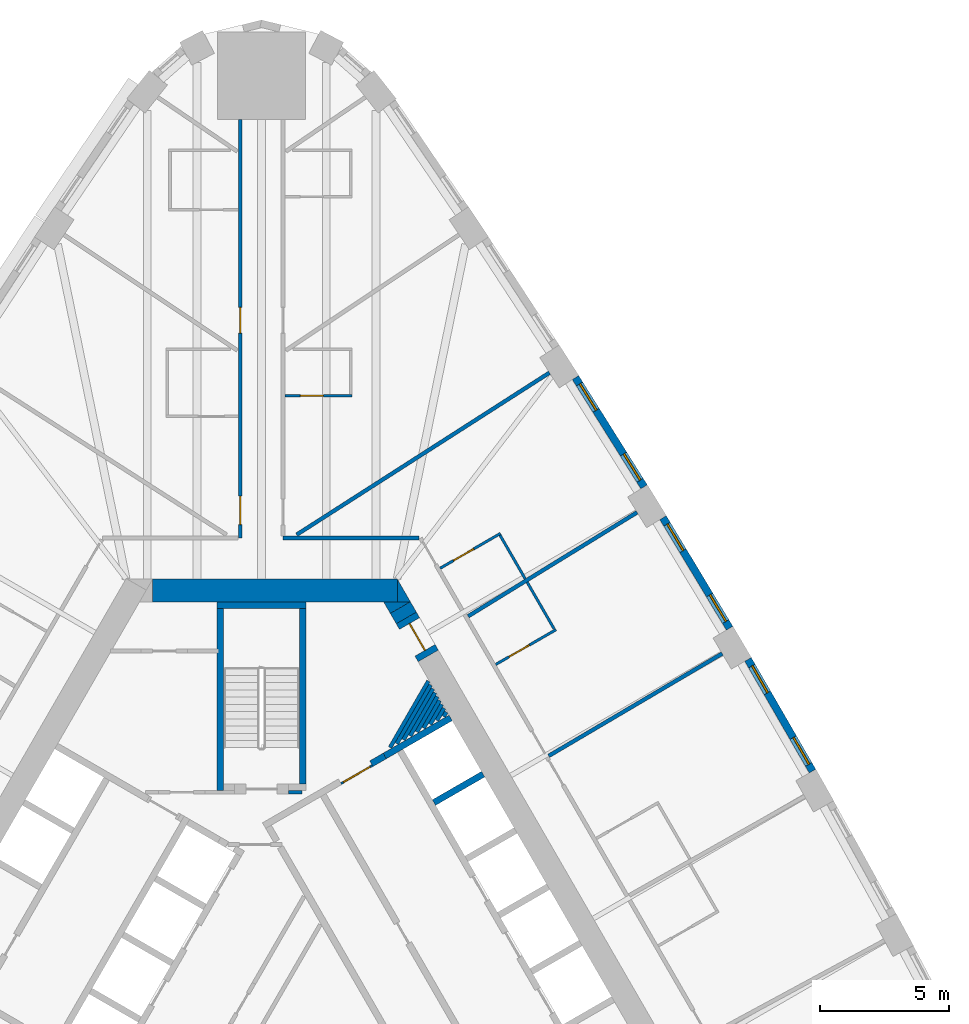
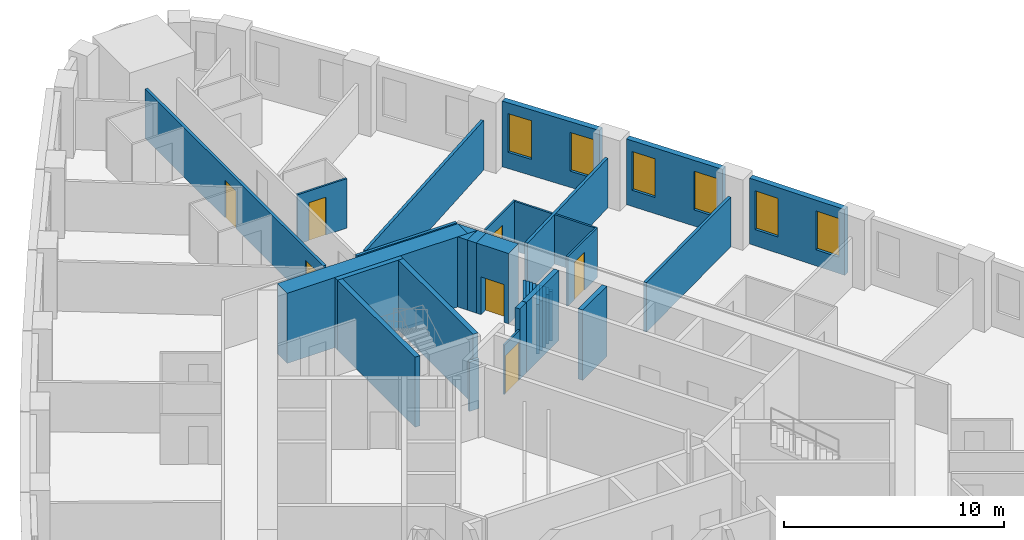
# One storey, part 10 of 12: 35 walls, 7 doors, 6 windows, 13 openings.
"""IFC4 building model written with IfcOpenShell, lengths in metres."""

from ifc_helpers import new_model, si_unit, direction, frame, frame_2d, origin, place, context, subcontext, project, spatial, polyline, rectangle, outline, extrude, material, layer, layer_set, type_object, element, fill, save


model = new_model("IFC4")

# Units and contexts
model_context = context("Model", 3, precision=1e-05, world=origin(), true_north=direction((0.0, 1.0)))
body_context = subcontext(model_context, "Body", "Model", "MODEL_VIEW")
ifc_project = project(units=[si_unit("LENGTHUNIT", "METRE"), si_unit("AREAUNIT", "SQUARE_METRE"), si_unit("VOLUMEUNIT", "CUBIC_METRE"), si_unit("PLANEANGLEUNIT", "RADIAN"), si_unit("MASSUNIT", "GRAM", prefix="KILO")], contexts=[model_context])

# Site, building, storey
site_placement = place(None, origin())
site = spatial("IfcSite", under=ifc_project, at=site_placement, CompositionType="ELEMENT")
building_placement = place(site_placement, origin())
building = spatial("IfcBuilding", under=site, at=building_placement, Name="Mestral Congress Tower", CompositionType="ELEMENT")
storey_placement = place(building_placement, frame((0.0, 0.0, 66.60009765625)))
storey = spatial("IfcBuildingStorey", under=building, at=storey_placement, Name="L15", CompositionType="ELEMENT", Elevation=66.60009765625)

# Walls
ifc_material_1 = material(Name="Fire-rated board partition")
ifc_layer_1 = layer(ifc_material_1, 0.14990234375)
ifc_layer_set_1 = layer_set([ifc_layer_1], Name="Fire-rated board partition")
wall_type_1 = type_object("IfcWallType", Name="Core partition 150", PredefinedType="PARTITIONING", material=ifc_layer_set_1)
wall_1_placement = place(storey_placement, frame((1.050048828125, 8.62548828125, 0.0), z_axis=(0.0, 0.0, 1.0), x_axis=(1.0, 0.0, 0.0)))
element("IfcWall", 1, at=wall_1_placement, inside=storey, type_object=wall_type_1, Name="L15 core wall", PredefinedType="PARTITIONING", context=body_context, shape_type="SweptSolid", body=[
    extrude(rectangle(XDim=0.513916015625, YDim=0.14990234375, at=frame_2d((0.2568359375, 0.0))), origin(), (0.0, 0.0, 1.0), 2.75),
])
wall_2_placement = place(storey_placement, frame((4.981689453125, 10.358642578125, 0.0), z_axis=(0.0, 0.0, 1.0), x_axis=(0.500051824031, 0.865995481099, 0.0)))
element("IfcWall", 2, at=wall_2_placement, inside=storey, type_object=wall_type_1, Name="L15 core wall", PredefinedType="PARTITIONING", context=body_context, shape_type="SweptSolid", body=[
    extrude(rectangle(XDim=2.972900390625, YDim=0.14990234375, at=frame_2d((1.486328125, 0.0))), origin(), (0.0, 0.0, 1.0), 2.75),
])
wall_3_placement = place(storey_placement, frame((5.24169921875, 10.5087890625, 0.0), z_axis=(0.0, 0.0, 1.0), x_axis=(0.499958506883, 0.866049358521, 0.0)))
element("IfcWall", 3, at=wall_3_placement, inside=storey, type_object=wall_type_1, Name="L15 core wall", PredefinedType="PARTITIONING", context=body_context, shape_type="SweptSolid", body=[
    extrude(rectangle(XDim=2.626220703125, YDim=0.14990234375, at=frame_2d((1.31298828125, 0.0))), origin(), (0.0, 0.0, 1.0), 2.75),
])
wall_4_placement = place(storey_placement, frame((5.50146484375, 10.65869140625, 0.0), z_axis=(0.0, 0.0, 1.0), x_axis=(0.499951092774, 0.866053638543, 0.0)))
element("IfcWall", 4, at=wall_4_placement, inside=storey, type_object=wall_type_1, Name="L15 core wall", PredefinedType="PARTITIONING", context=body_context, shape_type="SweptSolid", body=[
    extrude(rectangle(XDim=2.280029296875, YDim=0.14990234375, at=frame_2d((1.14013671875, 0.0))), origin(), (0.0, 0.0, 1.0), 2.75),
])
wall_5_placement = place(storey_placement, frame((5.76123046875, 10.80859375, 0.0), z_axis=(0.0, 0.0, 1.0), x_axis=(0.499900985997, 0.866082561999, 0.0)))
element("IfcWall", 5, at=wall_5_placement, inside=storey, type_object=wall_type_1, Name="L15 core wall", PredefinedType="PARTITIONING", context=body_context, shape_type="SweptSolid", body=[
    extrude(rectangle(XDim=1.93359375, YDim=0.14990234375, at=frame_2d((0.966796875, 0.0))), origin(), (0.0, 0.0, 1.0), 2.75),
])
wall_6_placement = place(storey_placement, frame((6.02099609375, 10.958740234375, 0.0), z_axis=(0.0, 0.0, 1.0), x_axis=(0.499944387978, 0.86605750902, 0.0)))
element("IfcWall", 6, at=wall_6_placement, inside=storey, type_object=wall_type_1, Name="L15 core wall", PredefinedType="PARTITIONING", context=body_context, shape_type="SweptSolid", body=[
    extrude(rectangle(XDim=1.587158203125, YDim=0.14990234375, at=frame_2d((0.79345703125, 0.0))), origin(), (0.0, 0.0, 1.0), 2.75),
])
wall_7_placement = place(storey_placement, frame((6.28076171875, 11.108642578125, 0.0), z_axis=(0.0, 0.0, 1.0), x_axis=(0.500012022864, 0.866018462269, 0.0)))
element("IfcWall", 7, at=wall_7_placement, inside=storey, type_object=wall_type_1, Name="L15 core wall", PredefinedType="PARTITIONING", context=body_context, shape_type="SweptSolid", body=[
    extrude(rectangle(XDim=1.24072265625, YDim=0.14990234375, at=frame_2d((0.620361328125, 0.0))), origin(), (0.0, 0.0, 1.0), 2.75),
])
wall_8_placement = place(storey_placement, frame((6.54052734375, 11.2587890625, 0.0), z_axis=(0.0, 0.0, 1.0), x_axis=(0.500132045864, 0.865949153646, 0.0)))
element("IfcWall", 8, at=wall_8_placement, inside=storey, type_object=wall_type_1, Name="L15 core wall", PredefinedType="PARTITIONING", context=body_context, shape_type="SweptSolid", body=[
    extrude(rectangle(XDim=0.894287109375, YDim=0.14990234375, at=frame_2d((0.447265625, 0.0))), origin(), (0.0, 0.0, 1.0), 2.75),
])
wall_9_placement = place(storey_placement, frame((6.80029296875, 11.40869140625, 0.0), z_axis=(0.0, 0.0, 1.0), x_axis=(0.500210807569, 0.865903659763, 0.0)))
element("IfcWall", 9, at=wall_9_placement, inside=storey, type_object=wall_type_1, Name="L15 core wall", PredefinedType="PARTITIONING", context=body_context, shape_type="SweptSolid", body=[
    extrude(rectangle(XDim=0.548095703125, YDim=0.14990234375, at=frame_2d((0.27392578125, 0.0))), origin(), (0.0, 0.0, 1.0), 2.75),
])
wall_10_placement = place(storey_placement, frame((7.060302734375, 11.55859375, 0.0), z_axis=(0.0, 0.0, 1.0), x_axis=(0.499267785915, 0.866447735266, 0.0)))
element("IfcWall", 10, at=wall_10_placement, inside=storey, type_object=wall_type_1, Name="L15 core wall", PredefinedType="PARTITIONING", context=body_context, shape_type="SweptSolid", body=[
    extrude(rectangle(XDim=0.201416015625, YDim=0.14990234375, at=frame_2d((0.1005859375, 0.0))), origin(), (0.0, 0.0, 1.0), 2.75),
])

# Wall, opening, door
ifc_layer_2 = layer(ifc_material_1, 0.090087890625)
ifc_layer_set_2 = layer_set([ifc_layer_2], Name="Fire-rated board partition")
wall_type_2 = type_object("IfcWallType", Name="Core partition 150 door-wall 90", PredefinedType="PARTITIONING", material=ifc_layer_set_2)
wall_11_placement = place(storey_placement, frame((3.080810546875, 8.9609375, 0.0), z_axis=(0.0, 0.0, 1.0), x_axis=(0.866034573852, 0.49998411664, 0.0)))
wall_11 = element("IfcWall", 11, at=wall_11_placement, inside=storey, type_object=wall_type_2, Name="L15 door wall", PredefinedType="PARTITIONING", context=body_context, shape_type="SweptSolid", body=[
    extrude(rectangle(XDim=1.39990234375, YDim=0.090087890625, at=frame_2d((0.699951171875, 0.0))), origin(), (0.0, 0.0, 1.0), 2.75),
])
opening_1_placement = place(wall_11_placement, frame((0.10009765625, 0.0, 0.0)))
opening_1 = element("IfcOpeningElement", 12, at=opening_1_placement, cuts=wall_11, Name="Opening LB1-WL2", PredefinedType="OPENING", context=body_context, shape_type="SweptSolid", body=[
    extrude(rectangle(XDim=1.199951171875, YDim=2.10009765625, at=frame_2d((0.60009765625, 1.050048828125))), frame((0.0, 0.054931640625, 0.0), z_axis=(0.0, -1.0, 0.0), x_axis=(1.0, 0.0, 0.0)), (0.0, 0.0, 1.0), 0.110107421875),
])
ifc_material_2 = material(Name="Fire-rated steel door set", Category="steel")
door_type_1 = type_object("IfcDoorType", Name="Core door LB 1200x2100", OperationType="SINGLE_SWING_LEFT", PredefinedType="DOOR", material=ifc_material_2)
door_1_placement = place(opening_1_placement, origin())
door_1 = element("IfcDoor", 13, at=door_1_placement, inside=storey, type_object=door_type_1, Name="Door LB1-WL2", OperationType="SINGLE_SWING_LEFT", OverallHeight=2.10009765625, OverallWidth=1.199951171875, PredefinedType="DOOR", context=body_context, shape_type="SweptSolid", body=[
    extrude(rectangle(XDim=1.199951171875, YDim=2.10009765625, at=frame_2d((0.60009765625, 1.050048828125))), frame((0.0, 0.02490234375, 0.0), z_axis=(0.0, -1.0, 0.0), x_axis=(1.0, 0.0, 0.0)), (0.0, 0.0, 1.0), 0.050048828125),
])
fill(opening_1, door_1)

# Walls
ifc_material_3 = material(Name="Concrete C60/75", Category="concrete")
ifc_layer_3 = layer(ifc_material_3, 0.89990234375)
ifc_layer_set_3 = layer_set([ifc_layer_3], Name="Concrete C60/75")
wall_type_3 = type_object("IfcWallType", Name="Core wall RC 900", PredefinedType="SOLIDWALL", material=ifc_layer_set_3)
wall_12_placement = place(storey_placement, frame((-4.224365234375, 16.449951171875, 0.0), z_axis=(0.0, 0.0, 1.0), x_axis=(1.0, 0.0, 0.0)))
element("IfcWall", 14, at=wall_12_placement, inside=storey, type_object=wall_type_3, Name="L15 core wall", PredefinedType="SOLIDWALL", context=body_context, shape_type="SweptSolid", body=[
    extrude(rectangle(XDim=9.48779296875, YDim=0.89990234375, at=frame_2d((4.743896484375, 0.0))), origin(), (0.0, 0.0, 1.0), 3.89990234375),
])
placement = place(storey_placement, origin())
element("IfcWall", 15, at=placement, inside=storey, type_object=wall_type_3, Name="L15 core wall", PredefinedType="SOLIDWALL", context=body_context, shape_type="SweptSolid", body=[
    extrude(outline(polyline([(5.265380859375, 16.0), (5.265380859375, 16.8798828125), (5.7734375, 16.0), (5.265380859375, 16.0)])), origin(), (0.0, 0.0, 1.0), 3.89990234375),
])
wall_14_placement = place(storey_placement, frame((5.61083984375, 15.381591796875, 0.0), z_axis=(0.0, 0.0, 1.0), x_axis=(-0.500102178127, 0.865966403178, 0.0)))
element("IfcWall", 16, at=wall_14_placement, inside=storey, type_object=wall_type_3, Name="L15 core wall", PredefinedType="SOLIDWALL", context=body_context, shape_type="SweptSolid", body=[
    extrude(rectangle(XDim=0.4638671875, YDim=0.89990234375, at=frame_2d((0.23193359375, 0.0))), origin(), (0.0, 0.0, 1.0), 3.89990234375),
])
element("IfcWall", 17, at=placement, inside=storey, type_object=wall_type_3, Name="L15 core wall", PredefinedType="SOLIDWALL", context=body_context, shape_type="SweptSolid", body=[
    extrude(outline(polyline([(4.734375, 16.0), (5.75048828125, 16.0), (4.98828125, 15.56005859375), (4.734375, 16.0)])), origin(), (0.0, 0.0, 1.0), 3.89990234375),
])

# Wall, opening, door
wall_16_placement = place(storey_placement, frame((5.61083984375, 15.381591796875, 0.0), z_axis=(0.0, 0.0, 1.0), x_axis=(0.500062241894, -0.865989465428, 0.0)))
wall_16 = element("IfcWall", 18, at=wall_16_placement, inside=storey, type_object=wall_type_3, Name="L15 door wall", PredefinedType="SOLIDWALL", context=body_context, shape_type="SweptSolid", body=[
    extrude(rectangle(XDim=1.699951171875, YDim=0.89990234375, at=frame_2d((0.85009765625, 0.0))), origin(), (0.0, 0.0, 1.0), 3.89990234375),
])
opening_2_placement = place(wall_16_placement, frame((0.25, 0.0, 0.0)))
opening_2 = element("IfcOpeningElement", 19, at=opening_2_placement, cuts=wall_16, Name="Opening XD2", PredefinedType="OPENING", context=body_context, shape_type="SweptSolid", body=[
    extrude(rectangle(XDim=1.199951171875, YDim=2.10009765625, at=frame_2d((0.60009765625, 1.050048828125))), frame((0.0, 0.4599609375, 0.0), z_axis=(0.0, -1.0, 0.0), x_axis=(1.0, 0.0, 0.0)), (0.0, 0.0, 1.0), 0.919921875),
])
door_type_2 = type_object("IfcDoorType", Name="Core door XD 1200x2100", OperationType="SINGLE_SWING_LEFT", PredefinedType="DOOR", material=ifc_material_2)
door_2_placement = place(opening_2_placement, origin())
door_2 = element("IfcDoor", 20, at=door_2_placement, inside=storey, type_object=door_type_2, Name="Door XD2", OperationType="SINGLE_SWING_LEFT", OverallHeight=2.10009765625, OverallWidth=1.199951171875, PredefinedType="DOOR", context=body_context, shape_type="SweptSolid", body=[
    extrude(rectangle(XDim=1.199951171875, YDim=2.10009765625, at=frame_2d((0.60009765625, 1.050048828125))), frame((0.0, 0.02490234375, 0.0), z_axis=(0.0, -1.0, 0.0), x_axis=(1.0, 0.0, 0.0)), (0.0, 0.0, 1.0), 0.050048828125),
])
fill(opening_2, door_2)

# Wall, openings, windows
ifc_material_4 = material(Name="Precast concrete C40/50 with limestone facing", Category="masonry")
ifc_layer_4 = layer(ifc_material_4, 0.2900390625)
ifc_layer_set_4 = layer_set([ifc_layer_4], Name="Precast concrete C40/50 with limestone facing")
wall_type_4 = type_object("IfcWallType", Name="Facade stone wall 290", PredefinedType="SOLIDWALL", material=ifc_layer_set_4)
wall_17_placement = place(storey_placement, frame((21.357177734375, 9.44482421875, 0.0), z_axis=(0.0, 0.0, 1.0), x_axis=(-0.50002123722, 0.866013142123, 0.0)))
wall_17 = element("IfcWall", 21, at=wall_17_placement, inside=storey, type_object=wall_type_4, Name="Facade wall F1-04", PredefinedType="SOLIDWALL", context=body_context, shape_type="SweptSolid", body=[
    extrude(rectangle(XDim=4.998291015625, YDim=0.2900390625, at=frame_2d((2.4990234375, 0.0))), origin(), (0.0, 0.0, 1.0), 3.64990234375),
])
opening_3_placement = place(wall_17_placement, frame((0.297119140625, 0.0, 0.89990234375)))
opening_3 = element("IfcOpeningElement", 22, at=opening_3_placement, cuts=wall_17, Name="Opening W1", PredefinedType="OPENING", context=body_context, shape_type="SweptSolid", body=[
    extrude(rectangle(XDim=1.199951171875, YDim=2.14990234375, at=frame_2d((0.60009765625, 1.074951171875))), frame((0.0, 0.155029296875, 0.0), z_axis=(0.0, -1.0, 0.0), x_axis=(1.0, 0.0, 0.0)), (0.0, 0.0, 1.0), 0.31005859375),
])
opening_4_placement = place(wall_17_placement, frame((3.501220703125, 0.0, 0.89990234375)))
opening_4 = element("IfcOpeningElement", 23, at=opening_4_placement, cuts=wall_17, Name="Opening W1", PredefinedType="OPENING", context=body_context, shape_type="SweptSolid", body=[
    extrude(rectangle(XDim=1.199951171875, YDim=2.14990234375, at=frame_2d((0.60009765625, 1.074951171875))), frame((0.0, 0.155029296875, 0.0), z_axis=(0.0, -1.0, 0.0), x_axis=(1.0, 0.0, 0.0)), (0.0, 0.0, 1.0), 0.31005859375),
])
ifc_material_5 = material(Name="Clear low-emissivity double glazing", Category="glass")
window_type = type_object("IfcWindowType", Name="Facade punched window 1200 x 2150 sill 900", PartitioningType="DOUBLE_PANEL_VERTICAL", PredefinedType="WINDOW", material=ifc_material_5)
window_1_placement = place(opening_3_placement, origin())
window_1 = element("IfcWindow", 24, at=window_1_placement, inside=storey, type_object=window_type, Name="Window F1-04a", OverallHeight=2.14990234375, OverallWidth=1.199951171875, PartitioningType="DOUBLE_PANEL_VERTICAL", PredefinedType="WINDOW", context=body_context, shape_type="SweptSolid", body=[
    extrude(rectangle(XDim=1.199951171875, YDim=2.14990234375, at=frame_2d((0.60009765625, 1.074951171875))), frame((0.0, 0.01513671875, 0.0), z_axis=(0.0, -1.0, 0.0), x_axis=(1.0, 0.0, 0.0)), (0.0, 0.0, 1.0), 0.06005859375),
])
fill(opening_3, window_1)
window_2_placement = place(opening_4_placement, origin())
window_2 = element("IfcWindow", 25, at=window_2_placement, inside=storey, type_object=window_type, Name="Window F1-04b", OverallHeight=2.14990234375, OverallWidth=1.199951171875, PartitioningType="DOUBLE_PANEL_VERTICAL", PredefinedType="WINDOW", context=body_context, shape_type="SweptSolid", body=[
    extrude(rectangle(XDim=1.199951171875, YDim=2.14990234375, at=frame_2d((0.60009765625, 1.074951171875))), frame((0.0, 0.01513671875, 0.0), z_axis=(0.0, -1.0, 0.0), x_axis=(1.0, 0.0, 0.0)), (0.0, 0.0, 1.0), 0.06005859375),
])
fill(opening_4, window_2)

wall_18_placement = place(storey_placement, frame((18.143310546875, 14.985595703125, 0.0), z_axis=(0.0, 0.0, 1.0), x_axis=(-0.515938796285, 0.856625448191, 0.0)))
wall_18 = element("IfcWall", 26, at=wall_18_placement, inside=storey, type_object=wall_type_4, Name="Facade wall F1-05", PredefinedType="SOLIDWALL", context=body_context, shape_type="SweptSolid", body=[
    extrude(rectangle(XDim=4.998291015625, YDim=0.2900390625, at=frame_2d((2.4990234375, 0.0))), origin(), (0.0, 0.0, 1.0), 3.64990234375),
])
opening_5_placement = place(wall_18_placement, frame((0.297119140625, 0.0, 0.89990234375)))
opening_5 = element("IfcOpeningElement", 27, at=opening_5_placement, cuts=wall_18, Name="Opening W1", PredefinedType="OPENING", context=body_context, shape_type="SweptSolid", body=[
    extrude(rectangle(XDim=1.199951171875, YDim=2.14990234375, at=frame_2d((0.60009765625, 1.074951171875))), frame((0.0, 0.155029296875, 0.0), z_axis=(0.0, -1.0, 0.0), x_axis=(1.0, 0.0, 0.0)), (0.0, 0.0, 1.0), 0.31005859375),
])
opening_6_placement = place(wall_18_placement, frame((3.501220703125, 0.0, 0.89990234375)))
opening_6 = element("IfcOpeningElement", 28, at=opening_6_placement, cuts=wall_18, Name="Opening W1", PredefinedType="OPENING", context=body_context, shape_type="SweptSolid", body=[
    extrude(rectangle(XDim=1.199951171875, YDim=2.14990234375, at=frame_2d((0.60009765625, 1.074951171875))), frame((0.0, 0.155029296875, 0.0), z_axis=(0.0, -1.0, 0.0), x_axis=(1.0, 0.0, 0.0)), (0.0, 0.0, 1.0), 0.31005859375),
])
window_3_placement = place(opening_5_placement, origin())
window_3 = element("IfcWindow", 29, at=window_3_placement, inside=storey, type_object=window_type, Name="Window F1-05a", OverallHeight=2.14990234375, OverallWidth=1.199951171875, PartitioningType="DOUBLE_PANEL_VERTICAL", PredefinedType="WINDOW", context=body_context, shape_type="SweptSolid", body=[
    extrude(rectangle(XDim=1.199951171875, YDim=2.14990234375, at=frame_2d((0.60009765625, 1.074951171875))), frame((0.0, 0.01513671875, 0.0), z_axis=(0.0, -1.0, 0.0), x_axis=(1.0, 0.0, 0.0)), (0.0, 0.0, 1.0), 0.06005859375),
])
fill(opening_5, window_3)
window_4_placement = place(opening_6_placement, origin())
window_4 = element("IfcWindow", 30, at=window_4_placement, inside=storey, type_object=window_type, Name="Window F1-05b", OverallHeight=2.14990234375, OverallWidth=1.199951171875, PartitioningType="DOUBLE_PANEL_VERTICAL", PredefinedType="WINDOW", context=body_context, shape_type="SweptSolid", body=[
    extrude(rectangle(XDim=1.199951171875, YDim=2.14990234375, at=frame_2d((0.60009765625, 1.074951171875))), frame((0.0, 0.01513671875, 0.0), z_axis=(0.0, -1.0, 0.0), x_axis=(1.0, 0.0, 0.0)), (0.0, 0.0, 1.0), 0.06005859375),
])
fill(opening_6, window_4)

wall_19_placement = place(storey_placement, frame((14.827392578125, 20.466064453125, 0.0), z_axis=(0.0, 0.0, 1.0), x_axis=(-0.531688286542, 0.846940119462, 0.0)))
wall_19 = element("IfcWall", 31, at=wall_19_placement, inside=storey, type_object=wall_type_4, Name="Facade wall F1-06", PredefinedType="SOLIDWALL", context=body_context, shape_type="SweptSolid", body=[
    extrude(rectangle(XDim=4.998291015625, YDim=0.2900390625, at=frame_2d((2.4990234375, 0.0))), origin(), (0.0, 0.0, 1.0), 3.64990234375),
])
opening_7_placement = place(wall_19_placement, frame((0.297119140625, 0.0, 0.89990234375)))
opening_7 = element("IfcOpeningElement", 32, at=opening_7_placement, cuts=wall_19, Name="Opening W1", PredefinedType="OPENING", context=body_context, shape_type="SweptSolid", body=[
    extrude(rectangle(XDim=1.199951171875, YDim=2.14990234375, at=frame_2d((0.60009765625, 1.074951171875))), frame((0.0, 0.155029296875, 0.0), z_axis=(0.0, -1.0, 0.0), x_axis=(1.0, 0.0, 0.0)), (0.0, 0.0, 1.0), 0.31005859375),
])
opening_8_placement = place(wall_19_placement, frame((3.501220703125, 0.0, 0.89990234375)))
opening_8 = element("IfcOpeningElement", 33, at=opening_8_placement, cuts=wall_19, Name="Opening W1", PredefinedType="OPENING", context=body_context, shape_type="SweptSolid", body=[
    extrude(rectangle(XDim=1.199951171875, YDim=2.14990234375, at=frame_2d((0.60009765625, 1.074951171875))), frame((0.0, 0.155029296875, 0.0), z_axis=(0.0, -1.0, 0.0), x_axis=(1.0, 0.0, 0.0)), (0.0, 0.0, 1.0), 0.31005859375),
])
window_5_placement = place(opening_7_placement, origin())
window_5 = element("IfcWindow", 34, at=window_5_placement, inside=storey, type_object=window_type, Name="Window F1-06a", OverallHeight=2.14990234375, OverallWidth=1.199951171875, PartitioningType="DOUBLE_PANEL_VERTICAL", PredefinedType="WINDOW", context=body_context, shape_type="SweptSolid", body=[
    extrude(rectangle(XDim=1.199951171875, YDim=2.14990234375, at=frame_2d((0.60009765625, 1.074951171875))), frame((0.0, 0.01513671875, 0.0), z_axis=(0.0, -1.0, 0.0), x_axis=(1.0, 0.0, 0.0)), (0.0, 0.0, 1.0), 0.06005859375),
])
fill(opening_7, window_5)
window_6_placement = place(opening_8_placement, origin())
window_6 = element("IfcWindow", 35, at=window_6_placement, inside=storey, type_object=window_type, Name="Window F1-06b", OverallHeight=2.14990234375, OverallWidth=1.199951171875, PartitioningType="DOUBLE_PANEL_VERTICAL", PredefinedType="WINDOW", context=body_context, shape_type="SweptSolid", body=[
    extrude(rectangle(XDim=1.199951171875, YDim=2.14990234375, at=frame_2d((0.60009765625, 1.074951171875))), frame((0.0, 0.01513671875, 0.0), z_axis=(0.0, -1.0, 0.0), x_axis=(1.0, 0.0, 0.0)), (0.0, 0.0, 1.0), 0.06005859375),
])
fill(opening_8, window_6)

# Wall, opening, door
ifc_material_6 = material(Name="Gypsum board partition on metal studs with mineral wool", Category="composite")
ifc_layer_5 = layer(ifc_material_6, 0.10009765625)
ifc_layer_set_5 = layer_set([ifc_layer_5], Name="Gypsum board partition on metal studs with mineral wool")
wall_type_5 = type_object("IfcWallType", Name="Hotel partition wall 100", PredefinedType="PARTITIONING", material=ifc_layer_set_5)
wall_20_placement = place(storey_placement, frame((9.077392578125, 13.57763671875, 0.0), z_axis=(0.0, 0.0, 1.0), x_axis=(0.866036505625, 0.499980770555, 0.0)))
wall_20 = element("IfcWall", 36, at=wall_20_placement, inside=storey, type_object=wall_type_5, Name="L15-h-pod12a", PredefinedType="PARTITIONING", context=body_context, shape_type="SweptSolid", body=[
    extrude(rectangle(XDim=2.69970703125, YDim=0.10009765625, at=frame_2d((1.349853515625, 0.0))), origin(), (0.0, 0.0, 1.0), 2.75),
])
opening_9_placement = place(wall_20_placement, frame((0.60009765625, 0.0, 0.0)))
opening_9 = element("IfcOpeningElement", 37, at=opening_9_placement, cuts=wall_20, Name="Opening H04-024", PredefinedType="OPENING", context=body_context, shape_type="SweptSolid", body=[
    extrude(rectangle(XDim=0.89990234375, YDim=2.10009765625, at=frame_2d((0.449951171875, 1.050048828125))), frame((0.0, 0.06005859375, 0.0), z_axis=(0.0, -1.0, 0.0), x_axis=(1.0, 0.0, 0.0)), (0.0, 0.0, 1.0), 0.1201171875),
])
ifc_material_7 = material(Name="Timber veneer door leaf in timber frame", Category="wood")
door_type_3 = type_object("IfcDoorType", Name="Bathroom door 900", OperationType="SINGLE_SWING_LEFT", PredefinedType="DOOR", material=ifc_material_7)
door_3_placement = place(opening_9_placement, origin())
door_3 = element("IfcDoor", 38, at=door_3_placement, inside=storey, type_object=door_type_3, Name="L15-h-d024", OperationType="SINGLE_SWING_RIGHT", OverallHeight=2.10009765625, OverallWidth=0.89990234375, PredefinedType="DOOR", context=body_context, shape_type="SweptSolid", body=[
    extrude(rectangle(XDim=0.89990234375, YDim=2.10009765625, at=frame_2d((0.449951171875, 1.050048828125))), frame((0.0, 0.02490234375, 0.0), z_axis=(0.0, -1.0, 0.0), x_axis=(1.0, 0.0, 0.0)), (0.0, 0.0, 1.0), 0.050048828125),
])
fill(opening_9, door_3)

# Wall
wall_21_placement = place(storey_placement, frame((11.34228515625, 14.95458984375, 0.0), z_axis=(0.0, 0.0, 1.0), x_axis=(-0.500008976872, 0.866020220923, 0.0)))
element("IfcWall", 39, at=wall_21_placement, inside=storey, type_object=wall_type_5, Name="L15-h-pod12b", PredefinedType="PARTITIONING", context=body_context, shape_type="SweptSolid", body=[
    extrude(rectangle(XDim=2.08984375, YDim=0.10009765625, at=frame_2d((1.044921875, 0.0))), origin(), (0.0, 0.0, 1.0), 2.75),
])

# Wall, opening, door
wall_22_placement = place(storey_placement, frame((9.261962890625, 18.65771484375, 0.0), z_axis=(0.0, 0.0, 1.0), x_axis=(-0.866019956843, -0.50000943426, 0.0)))
wall_22 = element("IfcWall", 40, at=wall_22_placement, inside=storey, type_object=wall_type_5, Name="L15-h-pod13a", PredefinedType="PARTITIONING", context=body_context, shape_type="SweptSolid", body=[
    extrude(rectangle(XDim=2.7001953125, YDim=0.10009765625, at=frame_2d((1.35009765625, 0.0))), origin(), (0.0, 0.0, 1.0), 2.75),
])
opening_10_placement = place(wall_22_placement, frame((1.199951171875, 0.0, 0.0)))
opening_10 = element("IfcOpeningElement", 41, at=opening_10_placement, cuts=wall_22, Name="Opening H04-026", PredefinedType="OPENING", context=body_context, shape_type="SweptSolid", body=[
    extrude(rectangle(XDim=0.89990234375, YDim=2.10009765625, at=frame_2d((0.449951171875, 1.050048828125))), frame((0.0, 0.06005859375, 0.0), z_axis=(0.0, -1.0, 0.0), x_axis=(1.0, 0.0, 0.0)), (0.0, 0.0, 1.0), 0.1201171875),
])
door_4_placement = place(opening_10_placement, origin())
door_4 = element("IfcDoor", 42, at=door_4_placement, inside=storey, type_object=door_type_3, Name="L15-h-d026", OperationType="SINGLE_SWING_LEFT", OverallHeight=2.10009765625, OverallWidth=0.89990234375, PredefinedType="DOOR", context=body_context, shape_type="SweptSolid", body=[
    extrude(rectangle(XDim=0.89990234375, YDim=2.10009765625, at=frame_2d((0.449951171875, 1.050048828125))), frame((0.0, 0.02490234375, 0.0), z_axis=(0.0, -1.0, 0.0), x_axis=(1.0, 0.0, 0.0)), (0.0, 0.0, 1.0), 0.050048828125),
])
fill(opening_10, door_4)

# Wall
wall_23_placement = place(storey_placement, frame((9.24365234375, 18.58935546875, 0.0), z_axis=(0.0, 0.0, 1.0), x_axis=(0.500043961785, -0.866000020948, 0.0)))
element("IfcWall", 43, at=wall_23_placement, inside=storey, type_object=wall_type_5, Name="L15-h-pod13b", PredefinedType="PARTITIONING", context=body_context, shape_type="SweptSolid", body=[
    extrude(rectangle(XDim=1.949951171875, YDim=0.10009765625, at=frame_2d((0.97509765625, 0.0))), origin(), (0.0, 0.0, 1.0), 2.75),
])

# Wall, opening, door
wall_24_placement = place(storey_placement, frame((0.89990234375, 23.994384765625, 0.0), z_axis=(0.0, 0.0, 1.0), x_axis=(1.0, 0.0, 0.0)))
wall_24 = element("IfcWall", 44, at=wall_24_placement, inside=storey, type_object=wall_type_5, Name="L15-h-pod14a", PredefinedType="PARTITIONING", context=body_context, shape_type="SweptSolid", body=[
    extrude(rectangle(XDim=2.60009765625, YDim=0.10009765625, at=frame_2d((1.300048828125, 0.0))), origin(), (0.0, 0.0, 1.0), 2.75),
])
opening_11_placement = place(wall_24_placement, frame((0.60009765625, 0.0, 0.0)))
opening_11 = element("IfcOpeningElement", 45, at=opening_11_placement, cuts=wall_24, Name="Opening H04-028", PredefinedType="OPENING", context=body_context, shape_type="SweptSolid", body=[
    extrude(rectangle(XDim=0.89990234375, YDim=2.10009765625, at=frame_2d((0.449951171875, 1.050048828125))), frame((0.0, 0.06005859375, 0.0), z_axis=(0.0, -1.0, 0.0), x_axis=(1.0, 0.0, 0.0)), (0.0, 0.0, 1.0), 0.1201171875),
])
door_5_placement = place(opening_11_placement, origin())
door_5 = element("IfcDoor", 46, at=door_5_placement, inside=storey, type_object=door_type_3, Name="L15-h-d028", OperationType="SINGLE_SWING_LEFT", OverallHeight=2.10009765625, OverallWidth=0.89990234375, PredefinedType="DOOR", context=body_context, shape_type="SweptSolid", body=[
    extrude(rectangle(XDim=0.89990234375, YDim=2.10009765625, at=frame_2d((0.449951171875, 1.050048828125))), frame((0.0, 0.02490234375, 0.0), z_axis=(0.0, -1.0, 0.0), x_axis=(1.0, 0.0, 0.0)), (0.0, 0.0, 1.0), 0.050048828125),
])
fill(opening_11, door_5)

# Wall
ifc_layer_6 = layer(ifc_material_6, 0.14990234375)
ifc_layer_set_6 = layer_set([ifc_layer_6], Name="Gypsum board partition on metal studs with mineral wool")
wall_type_6 = type_object("IfcWallType", Name="Hotel partition wall 150", PredefinedType="PARTITIONING", material=ifc_layer_set_6)
wall_25_placement = place(storey_placement, frame((0.824951171875, 18.47509765625, 0.0), z_axis=(0.0, 0.0, 1.0), x_axis=(1.0, 0.0, 0.0)))
element("IfcWall", 47, at=wall_25_placement, inside=storey, type_object=wall_type_6, Name="L15-h-cw04", PredefinedType="PARTITIONING", context=body_context, shape_type="SweptSolid", body=[
    extrude(rectangle(XDim=5.268310546875, YDim=0.14990234375, at=frame_2d((2.63427734375, 0.0))), origin(), (0.0, 0.0, 1.0), 2.75),
])

# Wall, openings, doors
wall_26_placement = place(storey_placement, frame((-0.824951171875, 18.47509765625, 0.0), z_axis=(0.0, 0.0, 1.0), x_axis=(0.0, 1.0, 0.0)))
wall_26 = element("IfcWall", 48, at=wall_26_placement, inside=storey, type_object=wall_type_6, Name="L15-h-cw06", PredefinedType="PARTITIONING", context=body_context, shape_type="SweptSolid", body=[
    extrude(rectangle(XDim=16.223876953125, YDim=0.14990234375, at=frame_2d((8.11181640625, 0.0))), origin(), (0.0, 0.0, 1.0), 2.75),
])
opening_12_placement = place(wall_26_placement, frame((7.948974609375, 0.0, 0.0)))
opening_12 = element("IfcOpeningElement", 49, at=opening_12_placement, cuts=wall_26, Name="Opening H04-031", PredefinedType="OPENING", context=body_context, shape_type="SweptSolid", body=[
    extrude(rectangle(XDim=1.0, YDim=2.10009765625, at=frame_2d((0.5, 1.050048828125))), frame((0.0, 0.0849609375, 0.0), z_axis=(0.0, -1.0, 0.0), x_axis=(1.0, 0.0, 0.0)), (0.0, 0.0, 1.0), 0.169921875),
])
opening_13_placement = place(wall_26_placement, frame((0.52587890625, 0.0, 0.0)))
opening_13 = element("IfcOpeningElement", 50, at=opening_13_placement, cuts=wall_26, Name="Opening H04-033", PredefinedType="OPENING", context=body_context, shape_type="SweptSolid", body=[
    extrude(rectangle(XDim=1.10009765625, YDim=2.10009765625, at=frame_2d((0.550048828125, 1.050048828125))), frame((0.0, 0.0849609375, 0.0), z_axis=(0.0, -1.0, 0.0), x_axis=(1.0, 0.0, 0.0)), (0.0, 0.0, 1.0), 0.169921875),
])
ifc_material_8 = material(Name="Timber veneer door leaf in metal frame", Category="wood")
door_type_4 = type_object("IfcDoorType", Name="Accessible room entrance door 1100", OperationType="SINGLE_SWING_LEFT", PredefinedType="DOOR", material=ifc_material_8)
door_6_placement = place(opening_13_placement, origin())
door_6 = element("IfcDoor", 51, at=door_6_placement, inside=storey, type_object=door_type_4, Name="L15-h-d033", OperationType="SINGLE_SWING_LEFT", OverallHeight=2.10009765625, OverallWidth=1.10009765625, PredefinedType="DOOR", context=body_context, shape_type="SweptSolid", body=[
    extrude(rectangle(XDim=1.10009765625, YDim=2.10009765625, at=frame_2d((0.550048828125, 1.050048828125))), frame((0.0, 0.02490234375, 0.0), z_axis=(0.0, -1.0, 0.0), x_axis=(1.0, 0.0, 0.0)), (0.0, 0.0, 1.0), 0.050048828125),
])
fill(opening_13, door_6)
door_type_5 = type_object("IfcDoorType", Name="Guest room entrance door 1000", OperationType="SINGLE_SWING_LEFT", PredefinedType="DOOR", material=ifc_material_8)
door_7_placement = place(opening_12_placement, origin())
door_7 = element("IfcDoor", 52, at=door_7_placement, inside=storey, type_object=door_type_5, Name="L15-h-d031", OperationType="SINGLE_SWING_LEFT", OverallHeight=2.10009765625, OverallWidth=1.0, PredefinedType="DOOR", context=body_context, shape_type="SweptSolid", body=[
    extrude(rectangle(XDim=1.0, YDim=2.10009765625, at=frame_2d((0.5, 1.050048828125))), frame((0.0, 0.02490234375, 0.0), z_axis=(0.0, -1.0, 0.0), x_axis=(1.0, 0.0, 0.0)), (0.0, 0.0, 1.0), 0.050048828125),
])
fill(opening_12, door_7)

# Walls
wall_27_placement = place(storey_placement, frame((11.16015625, 24.887939453125, 0.0), z_axis=(0.0, 0.0, 1.0), x_axis=(-0.84199813156, -0.539480441211, 0.0)))
element("IfcWall", 53, at=wall_27_placement, inside=storey, type_object=wall_type_6, Name="L15-h-pw13", PredefinedType="PARTITIONING", context=body_context, shape_type="SweptSolid", body=[
    extrude(rectangle(XDim=11.63818359375, YDim=0.14990234375, at=frame_2d((5.819091796875, 0.0))), origin(), (0.0, 0.0, 1.0), 2.75),
])
wall_28_placement = place(storey_placement, frame((14.55810546875, 19.474609375, 0.0), z_axis=(0.0, 0.0, 1.0), x_axis=(-0.851829455142, -0.523819223925, 0.0)))
element("IfcWall", 54, at=wall_28_placement, inside=storey, type_object=wall_type_6, Name="L15-h-pw16", PredefinedType="PARTITIONING", context=body_context, shape_type="SweptSolid", body=[
    extrude(rectangle(XDim=7.68798828125, YDim=0.14990234375, at=frame_2d((3.843994140625, 0.0))), origin(), (0.0, 0.0, 1.0), 2.75),
])
wall_29_placement = place(storey_placement, frame((17.85595703125, 13.999267578125, 0.0), z_axis=(0.0, 0.0, 1.0), x_axis=(-0.861371519381, -0.507975497047, 0.0)))
element("IfcWall", 55, at=wall_29_placement, inside=storey, type_object=wall_type_6, Name="L15-h-pw18", PredefinedType="PARTITIONING", context=body_context, shape_type="SweptSolid", body=[
    extrude(rectangle(XDim=7.8037109375, YDim=0.14990234375, at=frame_2d((3.90185546875, 0.0))), origin(), (0.0, 0.0, 1.0), 2.75),
])
ifc_layer_7 = layer(ifc_material_3, 0.25)
ifc_layer_set_7 = layer_set([ifc_layer_7], Name="Concrete C60/75")
wall_type_7 = type_object("IfcWallType", Name="Shaft wall RC 250", PredefinedType="SOLIDWALL", material=ifc_layer_set_7)
wall_30_placement = place(storey_placement, frame((6.68359375, 8.2236328125, 0.0), z_axis=(0.0, 0.0, 1.0), x_axis=(0.86605622881, 0.499946605688, 0.0)))
element("IfcWall", 56, at=wall_30_placement, inside=storey, type_object=wall_type_7, Name="L15 core wall", PredefinedType="SOLIDWALL", context=body_context, shape_type="SweptSolid", body=[
    extrude(rectangle(XDim=2.199951171875, YDim=0.25, at=frame_2d((1.10009765625, 0.0))), origin(), (0.0, 0.0, 1.0), 3.89990234375),
])
wall_31_placement = place(storey_placement, frame((4.25439453125, 9.73095703125, 0.0), z_axis=(0.0, 0.0, 1.0), x_axis=(0.866056883327, 0.499945471869, 0.0)))
element("IfcWall", 57, at=wall_31_placement, inside=storey, type_object=wall_type_7, Name="L15 core wall", PredefinedType="SOLIDWALL", context=body_context, shape_type="SweptSolid", body=[
    extrude(rectangle(XDim=0.60009765625, YDim=0.25, at=frame_2d((0.300048828125, 0.0))), origin(), (0.0, 0.0, 1.0), 3.89990234375),
])
wall_32_placement = place(storey_placement, frame((4.77587890625, 10.031982421875, 0.0), z_axis=(0.0, 0.0, 1.0), x_axis=(0.86600215702, 0.500040262416, 0.0)))
element("IfcWall", 58, at=wall_32_placement, inside=storey, type_object=wall_type_7, Name="L15 core wall", PredefinedType="SOLIDWALL", context=body_context, shape_type="SweptSolid", body=[
    extrude(rectangle(XDim=2.947998046875, YDim=0.25, at=frame_2d((1.47412109375, 0.0))), origin(), (0.0, 0.0, 1.0), 3.89990234375),
])
ifc_layer_8 = layer(ifc_material_3, 0.25)
ifc_layer_set_8 = layer_set([ifc_layer_8], Name="Concrete C60/75")
wall_type_8 = type_object("IfcWallType", Name="Stair wall RC 250", PredefinedType="SOLIDWALL", material=ifc_layer_set_8)
wall_33_placement = place(storey_placement, frame((-1.72509765625, 15.875, 0.0), z_axis=(0.0, 0.0, 1.0), x_axis=(1.0, 0.0, 0.0)))
element("IfcWall", 59, at=wall_33_placement, inside=storey, type_object=wall_type_8, Name="L15 core wall", PredefinedType="SOLIDWALL", context=body_context, shape_type="SweptSolid", body=[
    extrude(rectangle(XDim=3.4501953125, YDim=0.25, at=frame_2d((1.72509765625, 0.0))), origin(), (0.0, 0.0, 1.0), 3.89990234375),
])
wall_34_placement = place(storey_placement, frame((1.60009765625, 8.949951171875, 0.0), z_axis=(0.0, 0.0, 1.0), x_axis=(0.0, 1.0, 0.0)))
element("IfcWall", 60, at=wall_34_placement, inside=storey, type_object=wall_type_8, Name="L15 core wall", PredefinedType="SOLIDWALL", context=body_context, shape_type="SweptSolid", body=[
    extrude(rectangle(XDim=6.800048828125, YDim=0.25, at=frame_2d((3.39990234375, 0.0))), origin(), (0.0, 0.0, 1.0), 3.89990234375),
])
wall_35_placement = place(storey_placement, frame((-1.60009765625, 8.699951171875, 0.0), z_axis=(0.0, 0.0, 1.0), x_axis=(0.0, 1.0, 0.0)))
element("IfcWall", 61, at=wall_35_placement, inside=storey, type_object=wall_type_8, Name="L15 core wall", PredefinedType="SOLIDWALL", context=body_context, shape_type="SweptSolid", body=[
    extrude(rectangle(XDim=7.050048828125, YDim=0.25, at=frame_2d((3.52490234375, 0.0))), origin(), (0.0, 0.0, 1.0), 3.89990234375),
])

save(model, "model.ifc")
